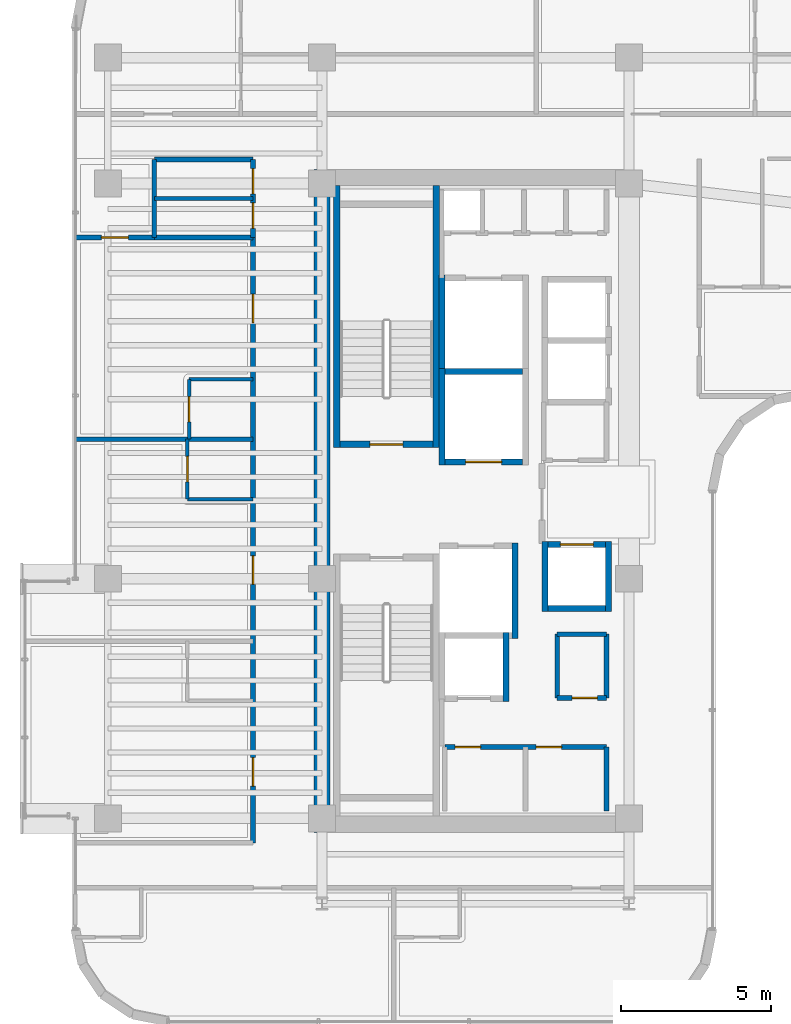
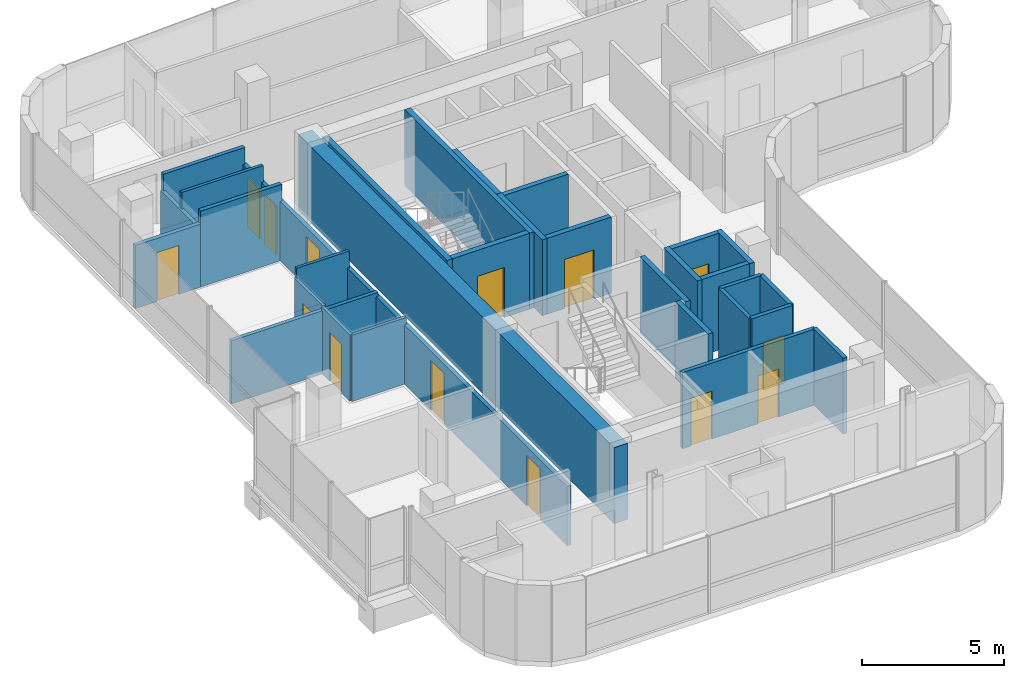
# One storey, part 19 of 24: 32 walls, 14 doors, 14 openings.
"""IFC4 building model written with IfcOpenShell, lengths in metres."""

from ifc_helpers import new_model, si_unit, direction, frame, frame_2d, origin, place, context, subcontext, project, spatial, rectangle, extrude, material, layer, layer_set, type_object, element, fill, save


model = new_model("IFC4")

# Units and contexts
model_context = context("Model", 3, precision=1e-05, world=origin(), true_north=direction((0.0, 1.0)))
body_context = subcontext(model_context, "Body", "Model", "MODEL_VIEW")
ifc_project = project(units=[si_unit("LENGTHUNIT", "METRE"), si_unit("AREAUNIT", "SQUARE_METRE"), si_unit("VOLUMEUNIT", "CUBIC_METRE"), si_unit("PLANEANGLEUNIT", "RADIAN"), si_unit("MASSUNIT", "GRAM", prefix="KILO")], contexts=[model_context])

# Site, building, storey
site_placement = place(None, origin())
site = spatial("IfcSite", under=ifc_project, at=site_placement, CompositionType="ELEMENT")
building_placement = place(site_placement, origin())
building = spatial("IfcBuilding", under=site, at=building_placement, Name="Valdorenza Pilgrim Sanctuary Tower", CompositionType="ELEMENT")
storey_placement = place(building_placement, frame((0.0, 0.0, 230.0)))
storey = spatial("IfcBuildingStorey", under=building, at=storey_placement, Name="L59", CompositionType="ELEMENT", Elevation=230.0)

# Wall, openings, doors
ifc_material_1 = material(Name="Acoustic twin-stud gypsum partition", Category="gypsum")
ifc_layer_1 = layer(ifc_material_1, 0.159912109375, Name="Acoustic twin-stud gypsum partition")
ifc_layer_set_1 = layer_set([ifc_layer_1], Name="Acoustic twin-stud gypsum partition")
wall_type_1 = type_object("IfcWallType", Name="WAL-COR-160", PredefinedType="PARTITIONING", material=ifc_layer_set_1)
wall_1_placement = place(storey_placement, frame((-18.550048828125, -8.219970703125, 0.0), z_axis=(0.0, 0.0, 1.0), x_axis=(1.0, 0.0, 0.0)))
wall_1 = element("IfcWall", 1, at=wall_1_placement, inside=storey, type_object=wall_type_1, Name="L59 Freed Shaft 1 North Wall", PredefinedType="PARTITIONING", context=body_context, shape_type="SweptSolid", body=[
    extrude(rectangle(XDim=5.400146484375, YDim=0.159912109375, at=frame_2d((2.7001953125, 0.0))), origin(), (0.0, 0.0, 1.0), 3.260009765625),
])
opening_1_placement = place(wall_1_placement, frame((0.35009765625, 0.0, 0.0)))
opening_1 = element("IfcOpeningElement", 2, at=opening_1_placement, cuts=wall_1, Name="Opening DR-RS1", PredefinedType="OPENING", context=body_context, shape_type="SweptSolid", body=[
    extrude(rectangle(XDim=0.85009765625, YDim=2.050048828125, at=frame_2d((0.425048828125, 1.02490234375))), frame((0.0, 0.0947265625, 0.0), z_axis=(0.0, -1.0, 0.0), x_axis=(1.0, 0.0, 0.0)), (0.0, 0.0, 1.0), 0.189697265625),
])
opening_2_placement = place(wall_1_placement, frame((3.050048828125, 0.0, 0.0)))
opening_2 = element("IfcOpeningElement", 3, at=opening_2_placement, cuts=wall_1, Name="Opening DR-RS1", PredefinedType="OPENING", context=body_context, shape_type="SweptSolid", body=[
    extrude(rectangle(XDim=0.85009765625, YDim=2.050048828125, at=frame_2d((0.425048828125, 1.02490234375))), frame((0.0, 0.0947265625, 0.0), z_axis=(0.0, -1.0, 0.0), x_axis=(1.0, 0.0, 0.0)), (0.0, 0.0, 1.0), 0.189697265625),
])
ifc_material_2 = material(Name="Painted galvanized steel", Category="steel")
door_type_1 = type_object("IfcDoorType", Name="DR-RSR-850", OperationType="NOTDEFINED", PredefinedType="DOOR", material=ifc_material_2)
door_1_placement = place(opening_1_placement, origin())
door_1 = element("IfcDoor", 4, at=door_1_placement, inside=storey, type_object=door_type_1, Name="L59 Linen Store Door", OperationType="SINGLE_SWING_LEFT", OverallHeight=2.050048828125, OverallWidth=0.85009765625, PredefinedType="DOOR", context=body_context, shape_type="SweptSolid", body=[
    extrude(rectangle(XDim=0.85009765625, YDim=2.050048828125, at=frame_2d((0.425048828125, 1.02490234375))), frame((0.0, 0.02490234375, 0.0), z_axis=(0.0, -1.0, 0.0), x_axis=(1.0, 0.0, 0.0)), (0.0, 0.0, 1.0), 0.050048828125),
])
fill(opening_1, door_1)
door_2_placement = place(opening_2_placement, origin())
door_2 = element("IfcDoor", 5, at=door_2_placement, inside=storey, type_object=door_type_1, Name="L59 Cot Store Door", OperationType="SINGLE_SWING_RIGHT", OverallHeight=2.050048828125, OverallWidth=0.85009765625, PredefinedType="DOOR", context=body_context, shape_type="SweptSolid", body=[
    extrude(rectangle(XDim=0.85009765625, YDim=2.050048828125, at=frame_2d((0.425048828125, 1.02490234375))), frame((0.0, 0.02490234375, 0.0), z_axis=(0.0, -1.0, 0.0), x_axis=(1.0, 0.0, 0.0)), (0.0, 0.0, 1.0), 0.050048828125),
])
fill(opening_2, door_2)

# Wall
wall_2_placement = place(storey_placement, frame((-13.14990234375, -10.35009765625, 0.0), z_axis=(0.0, 0.0, 1.0), x_axis=(0.0, 1.0, 0.0)))
element("IfcWall", 6, at=wall_2_placement, inside=storey, type_object=wall_type_1, Name="L59 Freed Shaft 1 East Wall", PredefinedType="PARTITIONING", context=body_context, shape_type="SweptSolid", body=[
    extrude(rectangle(XDim=2.130126953125, YDim=0.159912109375, at=frame_2d((1.06494140625, 0.0))), origin(), (0.0, 0.0, 1.0), 3.260009765625),
])

# Wall, opening, door
wall_3_placement = place(storey_placement, frame((-14.800048828125, -6.580078125, 0.0), z_axis=(0.0, 0.0, 1.0), x_axis=(1.0, 0.0, 0.0)))
wall_3 = element("IfcWall", 7, at=wall_3_placement, inside=storey, type_object=wall_type_1, Name="L59 Freed Shaft 2 South Wall", PredefinedType="PARTITIONING", context=body_context, shape_type="SweptSolid", body=[
    extrude(rectangle(XDim=1.650146484375, YDim=0.159912109375, at=frame_2d((0.8251953125, 0.0))), origin(), (0.0, 0.0, 1.0), 3.260009765625),
])
opening_3_placement = place(wall_3_placement, frame((0.5, 0.0, 0.0)))
opening_3 = element("IfcOpeningElement", 8, at=opening_3_placement, cuts=wall_3, Name="Opening DR-RS1", PredefinedType="OPENING", context=body_context, shape_type="SweptSolid", body=[
    extrude(rectangle(XDim=0.85009765625, YDim=2.050048828125, at=frame_2d((0.425048828125, 1.02490234375))), frame((0.0, 0.0947265625, 0.0), z_axis=(0.0, -1.0, 0.0), x_axis=(1.0, 0.0, 0.0)), (0.0, 0.0, 1.0), 0.189697265625),
])
door_3_placement = place(opening_3_placement, origin())
door_3 = element("IfcDoor", 9, at=door_3_placement, inside=storey, type_object=door_type_1, Name="L59 Guest Tea Pantry Door", OperationType="SINGLE_SWING_LEFT", OverallHeight=2.050048828125, OverallWidth=0.85009765625, PredefinedType="DOOR", context=body_context, shape_type="SweptSolid", body=[
    extrude(rectangle(XDim=0.85009765625, YDim=2.050048828125, at=frame_2d((0.425048828125, 1.02490234375))), frame((0.0, 0.02490234375, 0.0), z_axis=(0.0, -1.0, 0.0), x_axis=(1.0, 0.0, 0.0)), (0.0, 0.0, 1.0), 0.050048828125),
])
fill(opening_3, door_3)

# Walls
wall_4_placement = place(storey_placement, frame((-13.14990234375, -6.580078125, 0.0), z_axis=(0.0, 0.0, 1.0), x_axis=(0.0, 1.0, 0.0)))
element("IfcWall", 10, at=wall_4_placement, inside=storey, type_object=wall_type_1, Name="L59 Freed Shaft 2 East Wall", PredefinedType="PARTITIONING", context=body_context, shape_type="SweptSolid", body=[
    extrude(rectangle(XDim=2.130126953125, YDim=0.159912109375, at=frame_2d((1.06494140625, 0.0))), origin(), (0.0, 0.0, 1.0), 3.260009765625),
])
wall_5_placement = place(storey_placement, frame((-28.25, 8.800048828125, 0.0), z_axis=(0.0, 0.0, 1.0), x_axis=(0.0, 1.0, 0.0)))
element("IfcWall", 11, at=wall_5_placement, inside=storey, type_object=wall_type_1, Name="L59 Washroom West Wall", PredefinedType="PARTITIONING", context=body_context, shape_type="SweptSolid", body=[
    extrude(rectangle(XDim=2.599853515625, YDim=0.159912109375, at=frame_2d((1.2998046875, 0.0))), origin(), (0.0, 0.0, 1.0), 2.5439453125),
])

# Wall, openings, doors
wall_6_placement = place(storey_placement, frame((-24.949951171875, 8.800048828125, 0.0), z_axis=(0.0, 0.0, 1.0), x_axis=(0.0, 1.0, 0.0)))
wall_6 = element("IfcWall", 12, at=wall_6_placement, inside=storey, type_object=wall_type_1, Name="L59 Washroom East Wall", PredefinedType="PARTITIONING", context=body_context, shape_type="SweptSolid", body=[
    extrude(rectangle(XDim=2.599853515625, YDim=0.159912109375, at=frame_2d((1.2998046875, 0.0))), origin(), (0.0, 0.0, 1.0), 2.5439453125),
])
opening_4_placement = place(wall_6_placement, frame((0.300048828125, 0.0, 0.0)))
opening_4 = element("IfcOpeningElement", 13, at=opening_4_placement, cuts=wall_6, Name="Opening DR-WC1", PredefinedType="OPENING", context=body_context, shape_type="SweptSolid", body=[
    extrude(rectangle(XDim=0.85009765625, YDim=2.10009765625, at=frame_2d((0.425048828125, 1.050048828125))), frame((0.0, 0.0947265625, 0.0), z_axis=(0.0, -1.0, 0.0), x_axis=(1.0, 0.0, 0.0)), (0.0, 0.0, 1.0), 0.189697265625),
])
opening_5_placement = place(wall_6_placement, frame((1.449951171875, 0.0, 0.0)))
opening_5 = element("IfcOpeningElement", 14, at=opening_5_placement, cuts=wall_6, Name="Opening DR-WC1", PredefinedType="OPENING", context=body_context, shape_type="SweptSolid", body=[
    extrude(rectangle(XDim=0.85009765625, YDim=2.10009765625, at=frame_2d((0.425048828125, 1.050048828125))), frame((0.0, 0.0947265625, 0.0), z_axis=(0.0, -1.0, 0.0), x_axis=(1.0, 0.0, 0.0)), (0.0, 0.0, 1.0), 0.189697265625),
])
ifc_material_3 = material(Name="Moisture-resistant lacquered timber", Category="wood")
door_type_2 = type_object("IfcDoorType", Name="DR-BATH-850", OperationType="NOTDEFINED", PredefinedType="DOOR", material=ifc_material_3)
door_4_placement = place(opening_4_placement, origin())
door_4 = element("IfcDoor", 15, at=door_4_placement, inside=storey, type_object=door_type_2, Name="L59 Accessible Washroom Door", OperationType="SINGLE_SWING_LEFT", OverallHeight=2.10009765625, OverallWidth=0.85009765625, PredefinedType="DOOR", context=body_context, shape_type="SweptSolid", body=[
    extrude(rectangle(XDim=0.85009765625, YDim=2.10009765625, at=frame_2d((0.425048828125, 1.050048828125))), frame((0.0, 0.02490234375, 0.0), z_axis=(0.0, -1.0, 0.0), x_axis=(1.0, 0.0, 0.0)), (0.0, 0.0, 1.0), 0.050048828125),
])
fill(opening_4, door_4)
door_5_placement = place(opening_5_placement, origin())
door_5 = element("IfcDoor", 16, at=door_5_placement, inside=storey, type_object=door_type_2, Name="L59 Public Washroom Door", OperationType="SINGLE_SWING_RIGHT", OverallHeight=2.10009765625, OverallWidth=0.85009765625, PredefinedType="DOOR", context=body_context, shape_type="SweptSolid", body=[
    extrude(rectangle(XDim=0.85009765625, YDim=2.10009765625, at=frame_2d((0.425048828125, 1.050048828125))), frame((0.0, 0.02490234375, 0.0), z_axis=(0.0, -1.0, 0.0), x_axis=(1.0, 0.0, 0.0)), (0.0, 0.0, 1.0), 0.050048828125),
])
fill(opening_5, door_5)

# Walls
for number, where, z_axis, x_axis, name in (
    (17, (-28.25, 8.800048828125, 0.0), (0.0, 0.0, 1.0), (1.0, 0.0, 0.0), "L59 Washroom South Wall"),
    (18, (-28.25, 11.39990234375, 0.0), (0.0, 0.0, 1.0), (1.0, 0.0, 0.0), "L59 Washroom North Wall"),
):
    element("IfcWall", number, at=place(storey_placement, frame(where, z_axis=z_axis, x_axis=x_axis)), inside=storey, type_object=wall_type_1, Name=name, PredefinedType="PARTITIONING", context=body_context, shape_type="SweptSolid", body=[
        extrude(rectangle(XDim=3.300048828125, YDim=0.159912109375, at=frame_2d((1.64990234375, 0.0))), origin(), (0.0, 0.0, 1.0), 3.260009765625),
    ])

# Wall, openings, doors
wall_7_placement = place(storey_placement, frame((-24.949951171875, -11.419921875, 0.0), z_axis=(0.0, 0.0, 1.0), x_axis=(0.0, 1.0, 0.0)))
wall_7 = element("IfcWall", 19, at=wall_7_placement, inside=storey, type_object=wall_type_1, Name="L59 West Wing Corridor Wall", PredefinedType="PARTITIONING", context=body_context, shape_type="SweptSolid", body=[
    extrude(rectangle(XDim=20.219970703125, YDim=0.159912109375, at=frame_2d((10.10986328125, 0.0))), origin(), (0.0, 0.0, 1.0), 2.5439453125),
])
opening_6_placement = place(wall_7_placement, frame((1.89501953125, 0.0, 0.0)))
opening_6 = element("IfcOpeningElement", 20, at=opening_6_placement, cuts=wall_7, Name="Opening DR-UN1", PredefinedType="OPENING", context=body_context, shape_type="SweptSolid", body=[
    extrude(rectangle(XDim=0.949951171875, YDim=2.14990234375, at=frame_2d((0.47509765625, 1.074951171875))), frame((0.0, 0.0947265625, 0.0), z_axis=(0.0, -1.0, 0.0), x_axis=(1.0, 0.0, 0.0)), (0.0, 0.0, 1.0), 0.189697265625),
])
opening_7_placement = place(wall_7_placement, frame((8.635009765625, 0.0, 0.0)))
opening_7 = element("IfcOpeningElement", 21, at=opening_7_placement, cuts=wall_7, Name="Opening DR-UN1", PredefinedType="OPENING", context=body_context, shape_type="SweptSolid", body=[
    extrude(rectangle(XDim=0.949951171875, YDim=2.14990234375, at=frame_2d((0.47509765625, 1.074951171875))), frame((0.0, 0.0947265625, 0.0), z_axis=(0.0, -1.0, 0.0), x_axis=(1.0, 0.0, 0.0)), (0.0, 0.0, 1.0), 0.189697265625),
])
opening_8_placement = place(wall_7_placement, frame((17.375, 0.0, 0.0)))
opening_8 = element("IfcOpeningElement", 22, at=opening_8_placement, cuts=wall_7, Name="Opening DR-UN1", PredefinedType="OPENING", context=body_context, shape_type="SweptSolid", body=[
    extrude(rectangle(XDim=0.949951171875, YDim=2.14990234375, at=frame_2d((0.47509765625, 1.074951171875))), frame((0.0, 0.0947265625, 0.0), z_axis=(0.0, -1.0, 0.0), x_axis=(1.0, 0.0, 0.0)), (0.0, 0.0, 1.0), 0.189697265625),
])
ifc_material_4 = material(Name="Solid-core European oak timber", Category="wood")
door_type_3 = type_object("IfcDoorType", Name="DR-UNIT-950", OperationType="NOTDEFINED", PredefinedType="DOOR", material=ifc_material_4)
door_6_placement = place(opening_6_placement, origin())
door_6 = element("IfcDoor", 23, at=door_6_placement, inside=storey, type_object=door_type_3, Name="L59 Sanctuary Guest Room L59-W1 Entrance Door", OperationType="SINGLE_SWING_RIGHT", OverallHeight=2.14990234375, OverallWidth=0.949951171875, PredefinedType="DOOR", context=body_context, shape_type="SweptSolid", body=[
    extrude(rectangle(XDim=0.949951171875, YDim=2.14990234375, at=frame_2d((0.47509765625, 1.074951171875))), frame((0.0, 0.02490234375, 0.0), z_axis=(0.0, -1.0, 0.0), x_axis=(1.0, 0.0, 0.0)), (0.0, 0.0, 1.0), 0.050048828125),
])
fill(opening_6, door_6)
door_7_placement = place(opening_7_placement, origin())
door_7 = element("IfcDoor", 24, at=door_7_placement, inside=storey, type_object=door_type_3, Name="L59 Sanctuary Guest Room L59-W2 Entrance Door", OperationType="SINGLE_SWING_RIGHT", OverallHeight=2.14990234375, OverallWidth=0.949951171875, PredefinedType="DOOR", context=body_context, shape_type="SweptSolid", body=[
    extrude(rectangle(XDim=0.949951171875, YDim=2.14990234375, at=frame_2d((0.47509765625, 1.074951171875))), frame((0.0, 0.02490234375, 0.0), z_axis=(0.0, -1.0, 0.0), x_axis=(1.0, 0.0, 0.0)), (0.0, 0.0, 1.0), 0.050048828125),
])
fill(opening_7, door_7)
door_8_placement = place(opening_8_placement, origin())
door_8 = element("IfcDoor", 25, at=door_8_placement, inside=storey, type_object=door_type_3, Name="L59 Sanctuary Guest Room L59-W3 Entrance Door", OperationType="SINGLE_SWING_RIGHT", OverallHeight=2.14990234375, OverallWidth=0.949951171875, PredefinedType="DOOR", context=body_context, shape_type="SweptSolid", body=[
    extrude(rectangle(XDim=0.949951171875, YDim=2.14990234375, at=frame_2d((0.47509765625, 1.074951171875))), frame((0.0, 0.02490234375, 0.0), z_axis=(0.0, -1.0, 0.0), x_axis=(1.0, 0.0, 0.0)), (0.0, 0.0, 1.0), 0.050048828125),
])
fill(opening_8, door_8)

# Wall, opening, door
wall_8_placement = place(storey_placement, frame((-30.889892578125, 8.800048828125, 0.0), z_axis=(0.0, 0.0, 1.0), x_axis=(1.0, 0.0, 0.0)))
wall_8 = element("IfcWall", 26, at=wall_8_placement, inside=storey, type_object=wall_type_1, Name="L59 West North Alcove Wall", PredefinedType="PARTITIONING", context=body_context, shape_type="SweptSolid", body=[
    extrude(rectangle(XDim=2.639892578125, YDim=0.159912109375, at=frame_2d((1.31982421875, 0.0))), origin(), (0.0, 0.0, 1.0), 2.7060546875),
])
opening_9_placement = place(wall_8_placement, frame((0.8701171875, 0.0, 0.0)))
opening_9 = element("IfcOpeningElement", 27, at=opening_9_placement, cuts=wall_8, Name="Opening DR-RM1", PredefinedType="OPENING", context=body_context, shape_type="SweptSolid", body=[
    extrude(rectangle(XDim=0.89990234375, YDim=2.10009765625, at=frame_2d((0.449951171875, 1.050048828125))), frame((0.0, 0.0947265625, 0.0), z_axis=(0.0, -1.0, 0.0), x_axis=(1.0, 0.0, 0.0)), (0.0, 0.0, 1.0), 0.189697265625),
])
door_type_4 = type_object("IfcDoorType", Name="DR-ROOM-900", OperationType="NOTDEFINED", PredefinedType="DOOR", material=ifc_material_4)
door_9_placement = place(opening_9_placement, frame((0.89990234375, 0.0, 0.0), z_axis=(0.0, 0.0, 1.0), x_axis=(-1.0, 0.0, 0.0)))
door_9 = element("IfcDoor", 28, at=door_9_placement, inside=storey, type_object=door_type_4, Name="L59 Pilgrim Scholar Office L59-WN Door", OperationType="SINGLE_SWING_LEFT", OverallHeight=2.10009765625, OverallWidth=0.89990234375, PredefinedType="DOOR", context=body_context, shape_type="SweptSolid", body=[
    extrude(rectangle(XDim=0.89990234375, YDim=2.10009765625, at=frame_2d((0.449951171875, 1.050048828125))), frame((0.0, 0.02490234375, 0.0), z_axis=(0.0, -1.0, 0.0), x_axis=(1.0, 0.0, 0.0)), (0.0, 0.0, 1.0), 0.050048828125),
])
fill(opening_9, door_9)

# Walls
ifc_material_5 = material(Name="Concrete C50/60", Category="concrete")
ifc_layer_2 = layer(ifc_material_5, 0.550048828125, Name="Concrete C50/60")
ifc_layer_set_2 = layer_set([ifc_layer_2], Name="Concrete C50/60")
wall_type_2 = type_object("IfcWallType", Name="WAL-COR-550", PredefinedType="SHEAR", material=ifc_layer_set_2)
wall_9_placement = place(storey_placement, frame((-22.64990234375, -11.074951171875, 0.0), z_axis=(0.0, 0.0, 1.0), x_axis=(0.0, 1.0, 0.0)))
element("IfcWall", 29, at=wall_9_placement, inside=storey, type_object=wall_type_2, Name="L59 Split Core A Shear Wall W", PredefinedType="SHEAR", context=body_context, shape_type="SweptSolid", body=[
    extrude(rectangle(XDim=22.14990234375, YDim=0.550048828125, at=frame_2d((11.074951171875, 0.0))), origin(), (0.0, 0.0, 1.0), 3.260009765625),
])
ifc_material_6 = material(Name="Moisture-resistant gypsum partition", Category="gypsum")
ifc_layer_3 = layer(ifc_material_6, 0.1201171875, Name="Moisture-resistant gypsum partition")
ifc_layer_set_3 = layer_set([ifc_layer_3], Name="Moisture-resistant gypsum partition")
wall_type_3 = type_object("IfcWallType", Name="WAL-INT-120", PredefinedType="PARTITIONING", material=ifc_layer_set_3)
wall_10_placement = place(storey_placement, frame((-28.25, 10.10009765625, 0.0), z_axis=(0.0, 0.0, 1.0), x_axis=(1.0, 0.0, 0.0)))
element("IfcWall", 30, at=wall_10_placement, inside=storey, type_object=wall_type_3, Name="L59 Washroom Divider Wall", PredefinedType="PARTITIONING", context=body_context, shape_type="SweptSolid", body=[
    extrude(rectangle(XDim=3.300048828125, YDim=0.1201171875, at=frame_2d((1.64990234375, 0.0))), origin(), (0.0, 0.0, 1.0), 3.260009765625),
])
wall_11_placement = place(storey_placement, frame((-27.14990234375, 0.06005859375, 0.0), z_axis=(0.0, 0.0, 1.0), x_axis=(1.0, 0.0, 0.0)))
element("IfcWall", 31, at=wall_11_placement, inside=storey, type_object=wall_type_3, Name="L59 Sanctuary Guest Room L59-W2 En-suite South Wall", PredefinedType="PARTITIONING", context=body_context, shape_type="SweptSolid", body=[
    extrude(rectangle(XDim=2.199951171875, YDim=0.1201171875, at=frame_2d((1.10009765625, 0.0))), origin(), (0.0, 0.0, 1.0), 2.839111328125),
])

# Wall, opening, door
wall_12_placement = place(storey_placement, frame((-27.14990234375, 0.06005859375, 0.0), z_axis=(0.0, 0.0, 1.0), x_axis=(0.0, 1.0, 0.0)))
wall_12 = element("IfcWall", 32, at=wall_12_placement, inside=storey, type_object=wall_type_3, Name="L59 Sanctuary Guest Room L59-W2 En-suite Door Wall", PredefinedType="PARTITIONING", context=body_context, shape_type="SweptSolid", body=[
    extrude(rectangle(XDim=2.0, YDim=0.1201171875, at=frame_2d((1.0, 0.0))), origin(), (0.0, 0.0, 1.0), 2.839111328125),
])
opening_10_placement = place(wall_12_placement, frame((0.574951171875, 0.0, 0.0)))
opening_10 = element("IfcOpeningElement", 33, at=opening_10_placement, cuts=wall_12, Name="Opening DR-WC1", PredefinedType="OPENING", context=body_context, shape_type="SweptSolid", body=[
    extrude(rectangle(XDim=0.85009765625, YDim=2.10009765625, at=frame_2d((0.425048828125, 1.050048828125))), frame((0.0, 0.074951171875, 0.0), z_axis=(0.0, -1.0, 0.0), x_axis=(1.0, 0.0, 0.0)), (0.0, 0.0, 1.0), 0.14990234375),
])
door_10_placement = place(opening_10_placement, origin())
door_10 = element("IfcDoor", 34, at=door_10_placement, inside=storey, type_object=door_type_2, Name="L59 Sanctuary Guest Room L59-W2 En-suite Bathroom Door", OperationType="SINGLE_SWING_LEFT", OverallHeight=2.10009765625, OverallWidth=0.85009765625, PredefinedType="DOOR", context=body_context, shape_type="SweptSolid", body=[
    extrude(rectangle(XDim=0.85009765625, YDim=2.10009765625, at=frame_2d((0.425048828125, 1.050048828125))), frame((0.0, 0.02490234375, 0.0), z_axis=(0.0, -1.0, 0.0), x_axis=(1.0, 0.0, 0.0)), (0.0, 0.0, 1.0), 0.050048828125),
])
fill(opening_10, door_10)

# Wall
wall_13_placement = place(storey_placement, frame((-27.087890625, 4.06005859375, 0.0), z_axis=(0.0, 0.0, 1.0), x_axis=(1.0, 0.0, 0.0)))
element("IfcWall", 35, at=wall_13_placement, inside=storey, type_object=wall_type_3, Name="L59 Sanctuary Guest Room L59-W3 En-suite North Wall", PredefinedType="PARTITIONING", context=body_context, shape_type="SweptSolid", body=[
    extrude(rectangle(XDim=2.137939453125, YDim=0.1201171875, at=frame_2d((1.06884765625, 0.0))), origin(), (0.0, 0.0, 1.0), 3.260009765625),
])

# Wall, opening, door
wall_14_placement = place(storey_placement, frame((-27.087890625, 2.06005859375, 0.0), z_axis=(0.0, 0.0, 1.0), x_axis=(0.0, 1.0, 0.0)))
wall_14 = element("IfcWall", 36, at=wall_14_placement, inside=storey, type_object=wall_type_3, Name="L59 Sanctuary Guest Room L59-W3 En-suite Door Wall", PredefinedType="PARTITIONING", context=body_context, shape_type="SweptSolid", body=[
    extrude(rectangle(XDim=2.0, YDim=0.1201171875, at=frame_2d((1.0, 0.0))), origin(), (0.0, 0.0, 1.0), 2.839111328125),
])
opening_11_placement = place(wall_14_placement, frame((0.574951171875, 0.0, 0.0)))
opening_11 = element("IfcOpeningElement", 37, at=opening_11_placement, cuts=wall_14, Name="Opening DR-WC1", PredefinedType="OPENING", context=body_context, shape_type="SweptSolid", body=[
    extrude(rectangle(XDim=0.85009765625, YDim=2.10009765625, at=frame_2d((0.425048828125, 1.050048828125))), frame((0.0, 0.074951171875, 0.0), z_axis=(0.0, -1.0, 0.0), x_axis=(1.0, 0.0, 0.0)), (0.0, 0.0, 1.0), 0.14990234375),
])
door_11_placement = place(opening_11_placement, origin())
door_11 = element("IfcDoor", 38, at=door_11_placement, inside=storey, type_object=door_type_2, Name="L59 Sanctuary Guest Room L59-W3 En-suite Bathroom Door", OperationType="SINGLE_SWING_LEFT", OverallHeight=2.10009765625, OverallWidth=0.85009765625, PredefinedType="DOOR", context=body_context, shape_type="SweptSolid", body=[
    extrude(rectangle(XDim=0.85009765625, YDim=2.10009765625, at=frame_2d((0.425048828125, 1.050048828125))), frame((0.0, 0.02490234375, 0.0), z_axis=(0.0, -1.0, 0.0), x_axis=(1.0, 0.0, 0.0)), (0.0, 0.0, 1.0), 0.050048828125),
])
fill(opening_11, door_11)

# Wall
ifc_material_7 = material(Name="Autoclaved aerated concrete blockwork", Category="masonry")
ifc_layer_4 = layer(ifc_material_7, 0.199951171875, Name="Autoclaved aerated concrete blockwork")
ifc_layer_set_4 = layer_set([ifc_layer_4], Name="Autoclaved aerated concrete blockwork")
wall_type_4 = type_object("IfcWallType", Name="WAL-SHF-200", PredefinedType="MOVABLE", material=ifc_layer_set_4)
wall_15_placement = place(storey_placement, frame((-18.64990234375, 1.199951171875, 0.0), z_axis=(0.0, 0.0, 1.0), x_axis=(0.0, 1.0, 0.0)))
element("IfcWall", 39, at=wall_15_placement, inside=storey, type_object=wall_type_4, Name="L59 Lift FFL-01 Hoistway Wall West", PredefinedType="MOVABLE", context=body_context, shape_type="SweptSolid", body=[
    extrude(rectangle(XDim=3.22509765625, YDim=0.199951171875, at=frame_2d((1.612548828125, 0.0))), origin(), (0.0, 0.0, 1.0), 3.260009765625),
])

# Wall, opening, door
wall_16_placement = place(storey_placement, frame((-18.550048828125, 1.300048828125, 0.0), z_axis=(0.0, 0.0, 1.0), x_axis=(1.0, 0.0, 0.0)))
wall_16 = element("IfcWall", 40, at=wall_16_placement, inside=storey, type_object=wall_type_4, Name="L59 Lift FFL-01 Hoistway Wall South", PredefinedType="MOVABLE", context=body_context, shape_type="SweptSolid", body=[
    extrude(rectangle(XDim=2.60009765625, YDim=0.199951171875, at=frame_2d((1.300048828125, 0.0))), origin(), (0.0, 0.0, 1.0), 3.260009765625),
])
opening_12_placement = place(wall_16_placement, frame((0.699951171875, 0.0, 0.0)))
opening_12 = element("IfcOpeningElement", 41, at=opening_12_placement, cuts=wall_16, Name="Opening LD-02", PredefinedType="OPENING", context=body_context, shape_type="SweptSolid", body=[
    extrude(rectangle(XDim=1.199951171875, YDim=2.10009765625, at=frame_2d((0.60009765625, 1.050048828125))), frame((0.0, 0.11474609375, 0.0), z_axis=(0.0, -1.0, 0.0), x_axis=(1.0, 0.0, 0.0)), (0.0, 0.0, 1.0), 0.229736328125),
])
ifc_material_8 = material(Name="Brushed stainless steel Grade 316", Category="steel")
door_type_5 = type_object("IfcDoorType", Name="DR-LFT-1200", OperationType="DOUBLE_DOOR_SLIDING", PredefinedType="DOOR", material=ifc_material_8)
door_12_placement = place(opening_12_placement, origin())
door_12 = element("IfcDoor", 42, at=door_12_placement, inside=storey, type_object=door_type_5, Name="L59 Lift FFL-01 Sliding Landing Door", OperationType="DOUBLE_DOOR_SLIDING", OverallHeight=2.10009765625, OverallWidth=1.199951171875, PredefinedType="DOOR", context=body_context, shape_type="SweptSolid", body=[
    extrude(rectangle(XDim=1.199951171875, YDim=2.10009765625, at=frame_2d((0.60009765625, 1.050048828125))), frame((0.0, 0.02490234375, 0.0), z_axis=(0.0, -1.0, 0.0), x_axis=(1.0, 0.0, 0.0)), (0.0, 0.0, 1.0), 0.050048828125),
])
fill(opening_12, door_12)

# Walls
wall_17_placement = place(storey_placement, frame((-18.550048828125, 4.324951171875, 0.0), z_axis=(0.0, 0.0, 1.0), x_axis=(1.0, 0.0, 0.0)))
element("IfcWall", 43, at=wall_17_placement, inside=storey, type_object=wall_type_4, Name="L59 Lift FFL-01 Hoistway Wall North", PredefinedType="MOVABLE", context=body_context, shape_type="SweptSolid", body=[
    extrude(rectangle(XDim=2.60009765625, YDim=0.199951171875, at=frame_2d((1.300048828125, 0.0))), origin(), (0.0, 0.0, 1.0), 3.260009765625),
])
wall_18_placement = place(storey_placement, frame((-16.199951171875, -4.60009765625, 0.0), z_axis=(0.0, 0.0, 1.0), x_axis=(0.0, 1.0, 0.0)))
element("IfcWall", 44, at=wall_18_placement, inside=storey, type_object=wall_type_4, Name="L59 Lift FFL-02 Hoistway Wall East", PredefinedType="MOVABLE", context=body_context, shape_type="SweptSolid", body=[
    extrude(rectangle(XDim=3.2001953125, YDim=0.199951171875, at=frame_2d((1.60009765625, 0.0))), origin(), (0.0, 0.0, 1.0), 3.260009765625),
])
wall_19_placement = place(storey_placement, frame((-18.64990234375, 4.22509765625, 0.0), z_axis=(0.0, 0.0, 1.0), x_axis=(0.0, 1.0, 0.0)))
element("IfcWall", 45, at=wall_19_placement, inside=storey, type_object=wall_type_4, Name="L59 Lift SVL-01 Hoistway Wall West", PredefinedType="MOVABLE", context=body_context, shape_type="SweptSolid", body=[
    extrude(rectangle(XDim=3.324951171875, YDim=0.199951171875, at=frame_2d((1.66259765625, 0.0))), origin(), (0.0, 0.0, 1.0), 3.260009765625),
])
wall_20_placement = place(storey_placement, frame((-16.5, -6.699951171875, 0.0), z_axis=(0.0, 0.0, 1.0), x_axis=(0.0, 1.0, 0.0)))
element("IfcWall", 46, at=wall_20_placement, inside=storey, type_object=wall_type_4, Name="L59 Lift PL-11 Hoistway Wall East", PredefinedType="MOVABLE", context=body_context, shape_type="SweptSolid", body=[
    extrude(rectangle(XDim=2.300048828125, YDim=0.199951171875, at=frame_2d((1.14990234375, 0.0))), origin(), (0.0, 0.0, 1.0), 3.260009765625),
])
for number, where, z_axis, x_axis, name in (
    (47, (-15.199951171875, -3.699951171875, 0.0), (0.0, 0.0, 1.0), (0.0, 1.0, 0.0), "L59 Lift PL-12 Hoistway Wall West"),
    (48, (-13.080078125, -3.699951171875, 0.0), (0.0, 0.0, 1.0), (0.0, 1.0, 0.0), "L59 Lift PL-12 Hoistway Wall East"),
):
    element("IfcWall", number, at=place(storey_placement, frame(where, z_axis=z_axis, x_axis=x_axis)), inside=storey, type_object=wall_type_4, Name=name, PredefinedType="MOVABLE", context=body_context, shape_type="SweptSolid", body=[
        extrude(rectangle(XDim=2.349853515625, YDim=0.199951171875, at=frame_2d((1.1748046875, 0.0))), origin(), (0.0, 0.0, 1.0), 3.260009765625),
    ])
wall_21_placement = place(storey_placement, frame((-15.10009765625, -3.60009765625, 0.0), z_axis=(0.0, 0.0, 1.0), x_axis=(1.0, 0.0, 0.0)))
element("IfcWall", 49, at=wall_21_placement, inside=storey, type_object=wall_type_4, Name="L59 Lift PL-12 Hoistway Wall South", PredefinedType="MOVABLE", context=body_context, shape_type="SweptSolid", body=[
    extrude(rectangle(XDim=1.920166015625, YDim=0.199951171875, at=frame_2d((0.9599609375, 0.0))), origin(), (0.0, 0.0, 1.0), 3.260009765625),
])

# Wall, opening, door
wall_22_placement = place(storey_placement, frame((-15.10009765625, -1.449951171875, 0.0), z_axis=(0.0, 0.0, 1.0), x_axis=(1.0, 0.0, 0.0)))
wall_22 = element("IfcWall", 50, at=wall_22_placement, inside=storey, type_object=wall_type_4, Name="L59 Lift PL-12 Hoistway Wall North", PredefinedType="MOVABLE", context=body_context, shape_type="SweptSolid", body=[
    extrude(rectangle(XDim=1.920166015625, YDim=0.199951171875, at=frame_2d((0.9599609375, 0.0))), origin(), (0.0, 0.0, 1.0), 3.260009765625),
])
opening_13_placement = place(wall_22_placement, frame((0.409912109375, 0.0, 0.0)))
opening_13 = element("IfcOpeningElement", 51, at=opening_13_placement, cuts=wall_22, Name="Opening LD-01", PredefinedType="OPENING", context=body_context, shape_type="SweptSolid", body=[
    extrude(rectangle(XDim=1.10009765625, YDim=2.10009765625, at=frame_2d((0.550048828125, 1.050048828125))), frame((0.0, 0.11474609375, 0.0), z_axis=(0.0, -1.0, 0.0), x_axis=(1.0, 0.0, 0.0)), (0.0, 0.0, 1.0), 0.229736328125),
])
door_type_6 = type_object("IfcDoorType", Name="DR-LFT-1100", OperationType="DOUBLE_DOOR_SLIDING", PredefinedType="DOOR", material=ifc_material_8)
door_13_placement = place(opening_13_placement, origin())
door_13 = element("IfcDoor", 52, at=door_13_placement, inside=storey, type_object=door_type_6, Name="L59 Lift PL-12 Sliding Landing Door", OperationType="DOUBLE_DOOR_SLIDING", OverallHeight=2.10009765625, OverallWidth=1.10009765625, PredefinedType="DOOR", context=body_context, shape_type="SweptSolid", body=[
    extrude(rectangle(XDim=1.10009765625, YDim=2.10009765625, at=frame_2d((0.550048828125, 1.050048828125))), frame((0.0, 0.02490234375, 0.0), z_axis=(0.0, -1.0, 0.0), x_axis=(1.0, 0.0, 0.0)), (0.0, 0.0, 1.0), 0.050048828125),
])
fill(opening_13, door_13)

# Walls
ifc_material_9 = material(Name="Concrete C40/50", Category="concrete")
ifc_layer_5 = layer(ifc_material_9, 0.219970703125, Name="Concrete C40/50")
ifc_layer_set_5 = layer_set([ifc_layer_5], Name="Concrete C40/50")
wall_type_5 = type_object("IfcWallType", Name="WAL-STR-SHF-220", PredefinedType="SHEAR", material=ifc_layer_set_5)
for number, where, z_axis, x_axis, name in (
    (53, (-22.159912109375, 1.780029296875, 0.0), (0.0, 0.0, 1.0), (0.0, 1.0, 0.0), "L59 ST-A1 Structural Stairwell Wall W"),
    (54, (-18.830078125, 1.780029296875, 0.0), (0.0, 0.0, 1.0), (0.0, 1.0, 0.0), "L59 ST-A1 Structural Stairwell Wall E"),
):
    element("IfcWall", number, at=place(storey_placement, frame(where, z_axis=z_axis, x_axis=x_axis)), inside=storey, type_object=wall_type_5, Name=name, PredefinedType="SHEAR", context=body_context, shape_type="SweptSolid", body=[
        extrude(rectangle(XDim=8.744873046875, YDim=0.219970703125, at=frame_2d((4.37255859375, 0.0))), origin(), (0.0, 0.0, 1.0), 3.260009765625),
    ])

# Wall, opening, door
wall_23_placement = place(storey_placement, frame((-22.050048828125, 1.889892578125, 0.0), z_axis=(0.0, 0.0, 1.0), x_axis=(1.0, 0.0, 0.0)))
wall_23 = element("IfcWall", 55, at=wall_23_placement, inside=storey, type_object=wall_type_5, Name="L59 ST-A1 Structural Stairwell Wall S", PredefinedType="SHEAR", context=body_context, shape_type="SweptSolid", body=[
    extrude(rectangle(XDim=3.110107421875, YDim=0.219970703125, at=frame_2d((1.55517578125, 0.0))), origin(), (0.0, 0.0, 1.0), 3.260009765625),
])
opening_14_placement = place(wall_23_placement, frame((1.0, 0.0, 0.0)))
opening_14 = element("IfcOpeningElement", 56, at=opening_14_placement, cuts=wall_23, Name="Opening DR-ST1", PredefinedType="OPENING", context=body_context, shape_type="SweptSolid", body=[
    extrude(rectangle(XDim=1.10009765625, YDim=2.14990234375, at=frame_2d((0.550048828125, 1.074951171875))), frame((0.0, 0.125, 0.0), z_axis=(0.0, -1.0, 0.0), x_axis=(1.0, 0.0, 0.0)), (0.0, 0.0, 1.0), 0.249755859375),
])
door_type_7 = type_object("IfcDoorType", Name="DR-STAIR-1100", OperationType="NOTDEFINED", PredefinedType="DOOR", material=ifc_material_2)
door_14_placement = place(opening_14_placement, frame((1.10009765625, 0.0, 0.0), z_axis=(0.0, 0.0, 1.0), x_axis=(-1.0, 0.0, 0.0)))
door_14 = element("IfcDoor", 57, at=door_14_placement, inside=storey, type_object=door_type_7, Name="L59 Exit Stair ST-A1 Door", OperationType="SINGLE_SWING_LEFT", OverallHeight=2.14990234375, OverallWidth=1.10009765625, PredefinedType="DOOR", context=body_context, shape_type="SweptSolid", body=[
    extrude(rectangle(XDim=1.10009765625, YDim=2.14990234375, at=frame_2d((0.550048828125, 1.074951171875))), frame((0.0, 0.02490234375, 0.0), z_axis=(0.0, -1.0, 0.0), x_axis=(1.0, 0.0, 0.0)), (0.0, 0.0, 1.0), 0.050048828125),
])
fill(opening_14, door_14)

# Walls
ifc_layer_6 = layer(ifc_material_1, 0.14990234375, Name="Acoustic twin-stud gypsum partition")
ifc_layer_set_6 = layer_set([ifc_layer_6], Name="Acoustic twin-stud gypsum partition")
wall_type_6 = type_object("IfcWallType", Name="WAL-UNT-150", PredefinedType="PARTITIONING", material=ifc_layer_set_6)
wall_24_placement = place(storey_placement, frame((-14.800048828125, -6.580078125, 0.0), z_axis=(0.0, 0.0, 1.0), x_axis=(0.0, 1.0, 0.0)))
element("IfcWall", 58, at=wall_24_placement, inside=storey, type_object=wall_type_6, Name="L59 Freed Shaft 2 West Wall", PredefinedType="PARTITIONING", context=body_context, shape_type="SweptSolid", body=[
    extrude(rectangle(XDim=2.130126953125, YDim=0.14990234375, at=frame_2d((1.06494140625, 0.0))), origin(), (0.0, 0.0, 1.0), 3.260009765625),
])
wall_25_placement = place(storey_placement, frame((-14.800048828125, -4.449951171875, 0.0), z_axis=(0.0, 0.0, 1.0), x_axis=(1.0, 0.0, 0.0)))
element("IfcWall", 59, at=wall_25_placement, inside=storey, type_object=wall_type_6, Name="L59 Freed Shaft 2 North Wall", PredefinedType="PARTITIONING", context=body_context, shape_type="SweptSolid", body=[
    extrude(rectangle(XDim=1.650146484375, YDim=0.14990234375, at=frame_2d((0.8251953125, 0.0))), origin(), (0.0, 0.0, 1.0), 3.260009765625),
])
wall_26_placement = place(storey_placement, frame((-30.889892578125, 2.06005859375, 0.0), z_axis=(0.0, 0.0, 1.0), x_axis=(1.0, 0.0, 0.0)))
element("IfcWall", 60, at=wall_26_placement, inside=storey, type_object=wall_type_6, Name="L59 West Apt Demising 2", PredefinedType="PARTITIONING", context=body_context, shape_type="SweptSolid", body=[
    extrude(rectangle(XDim=5.93994140625, YDim=0.14990234375, at=frame_2d((2.969970703125, 0.0))), origin(), (0.0, 0.0, 1.0), 2.7060546875),
])

save(model, "model.ifc")
